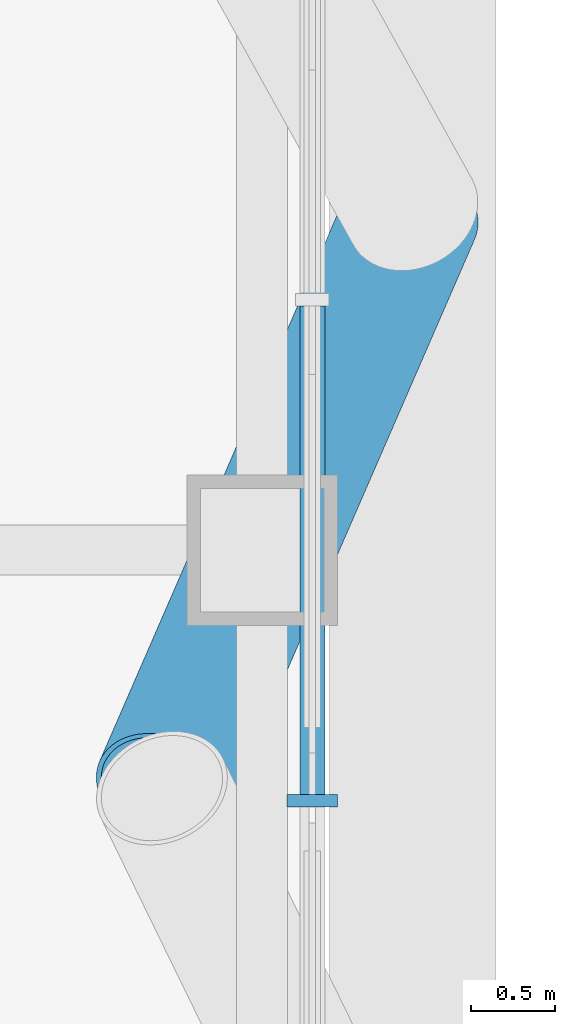
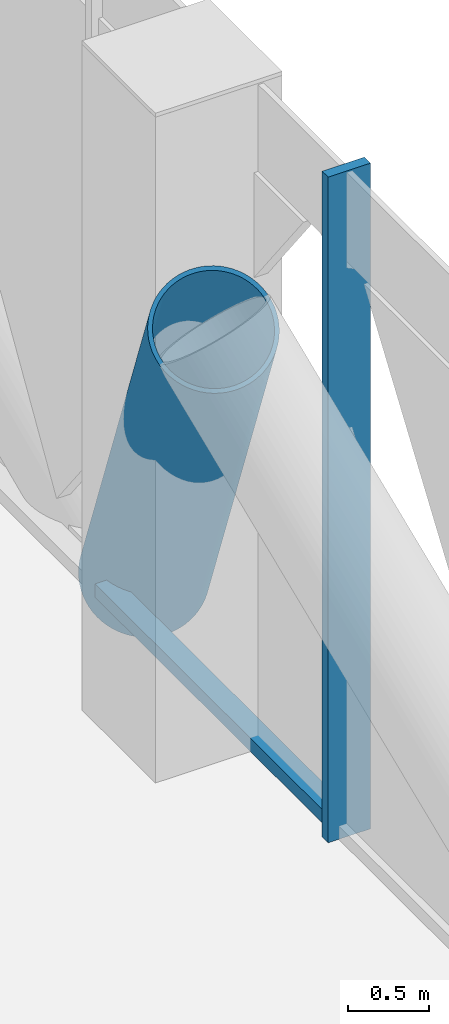
# One storey, part 9 of 26: 3 members, 1 element without a shape of its own.
"""IFC4 building model written with IfcOpenShell, lengths in metres."""

from ifc_helpers import new_model, si_unit, direction, frame, origin, origin_2d, place, context, subcontext, project, spatial, rectangle, hollow_circle, extrude, material, layer, layer_set, material_profile, profile_set, type_object, element, aggregate, save


model = new_model("IFC4")

# Units and contexts
model_context = context("Model", 3, precision=1e-05, world=origin(), true_north=direction((0.0, 1.0)))
body_context = subcontext(model_context, "Body", "Model", "MODEL_VIEW")
ifc_project = project(units=[si_unit("LENGTHUNIT", "METRE"), si_unit("AREAUNIT", "SQUARE_METRE"), si_unit("VOLUMEUNIT", "CUBIC_METRE"), si_unit("PLANEANGLEUNIT", "RADIAN"), si_unit("MASSUNIT", "GRAM", prefix="KILO")], contexts=[model_context])

# Site, building, storey
site_placement = place(None, origin())
site = spatial("IfcSite", under=ifc_project, at=site_placement, CompositionType="ELEMENT")
building_placement = place(site_placement, origin())
building = spatial("IfcBuilding", under=site, at=building_placement, Name="Malebo Sky Hospital", CompositionType="ELEMENT")
storey_placement = place(building_placement, frame((0.0, 0.0, 95.0)))
storey = spatial("IfcBuildingStorey", under=building, at=storey_placement, Name="L22", CompositionType="ELEMENT", Elevation=95.0)

# Curtain wall, member
ifc_material_1 = material(Name="Anodised aluminium, natural silver", Category="aluminium")
ifc_layer = layer(ifc_material_1, 0.25)
ifc_layer_set = layer_set([ifc_layer], Name="PLANT LOUVRE SCREEN")
curtain_wall_type = type_object("IfcCurtainWallType", Name="PLANT LOUVRE SCREEN", PredefinedType="NOTDEFINED", material=ifc_layer_set)
curtain_wall_placement = place(storey_placement, origin())
curtain_wall = element("IfcCurtainWall", 1, at=curtain_wall_placement, inside=storey, type_object=curtain_wall_type, Name="PLANT curtain wall E", PredefinedType="NOTDEFINED")
ifc_material_profile_1 = material_profile(ifc_material_1, rectangle(XDim=0.14990234375, YDim=0.10009765625, at=origin_2d()), Name="ALUMINIUM TRANSOM 150x100")
ifc_profile_set_1 = profile_set([ifc_material_profile_1], Name="Anodised aluminium, natural silver")
member_type_1 = type_object("IfcMemberType", Name="ALUMINIUM TRANSOM 150x100", PredefinedType="USERDEFINED", material=ifc_profile_set_1)
member_1_placement = place(storey_placement, frame((85.5, 67.96240234375, 0.050048828125), z_axis=(0.0, -1.0, 0.0), x_axis=(1.0, 0.0, 0.0)))
member_1 = element("IfcMember", 2, at=member_1_placement, type_object=member_type_1, Name="Transom 6", ObjectType="TRANSOM", PredefinedType="USERDEFINED", context=body_context, shape_type="SweptSolid", body=[
    extrude(rectangle(XDim=0.14990234375, YDim=0.10009765625, at=origin_2d()), origin(), (0.0, 0.0, 1.0), 2.9248046875),
])

# Member
ifc_material_2 = material(Name="Steel S460", Category="steel")
ifc_material_profile_2 = material_profile(ifc_material_2, hollow_circle(Radius=0.406494140625, WallThickness=0.030029296875, at=origin_2d()), Name="CHS 813x30")
ifc_profile_set_2 = profile_set([ifc_material_profile_2], Name="Steel S460")
member_type_2 = type_object("IfcMemberType", Name="BELT TRUSS DIAGONAL CHS 813x30", PredefinedType="BRACE", material=ifc_profile_set_2)
member_2_placement = place(storey_placement, frame((84.60009765625, 65.074951171875, 4.050048828125), z_axis=(0.257421208857, 0.592060400775, -0.763674540013), x_axis=(-0.917067992724, 0.398730857498, 0.0)))
element("IfcMember", 3, at=member_2_placement, inside=storey, type_object=member_type_2, Name="Belt truss diagonal E5.2 L22", PredefinedType="BRACE", context=body_context, shape_type="SweptSolid", body=[
    extrude(hollow_circle(Radius=0.406494140625, WallThickness=0.030029296875, at=origin_2d()), origin(), (0.0, 0.0, 1.0), 5.826904296875),
])

ifc_material_profile_3 = material_profile(ifc_material_1, rectangle(XDim=0.074951171875, YDim=0.300048828125, at=origin_2d()), Name="CW5 ALUMINIUM FIN MULLION 75x300")
ifc_profile_set_3 = profile_set([ifc_material_profile_3], Name="Anodised aluminium, natural silver")
member_type_3 = type_object("IfcMemberType", Name="CW5 ALUMINIUM FIN MULLION 75x300", PredefinedType="MULLION", material=ifc_profile_set_3)
member_3_placement = place(storey_placement, frame((85.5, 65.0, 0.0), z_axis=(0.0, 0.0, 1.0), x_axis=(0.0, -1.0, 0.0)))
member_3 = element("IfcMember", 4, at=member_3_placement, type_object=member_type_3, Name="Fin mullion 7", PredefinedType="MULLION", context=body_context, shape_type="SweptSolid", body=[
    extrude(rectangle(XDim=0.074951171875, YDim=0.300048828125, at=origin_2d()), origin(), (0.0, 0.0, 1.0), 5.0),
])

aggregate(curtain_wall, [member_3, member_1])

save(model, "model.ifc")
